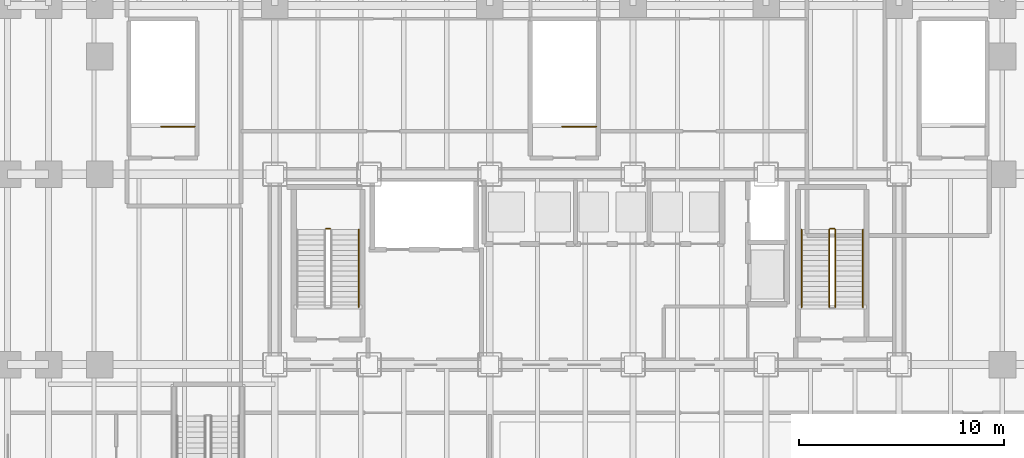
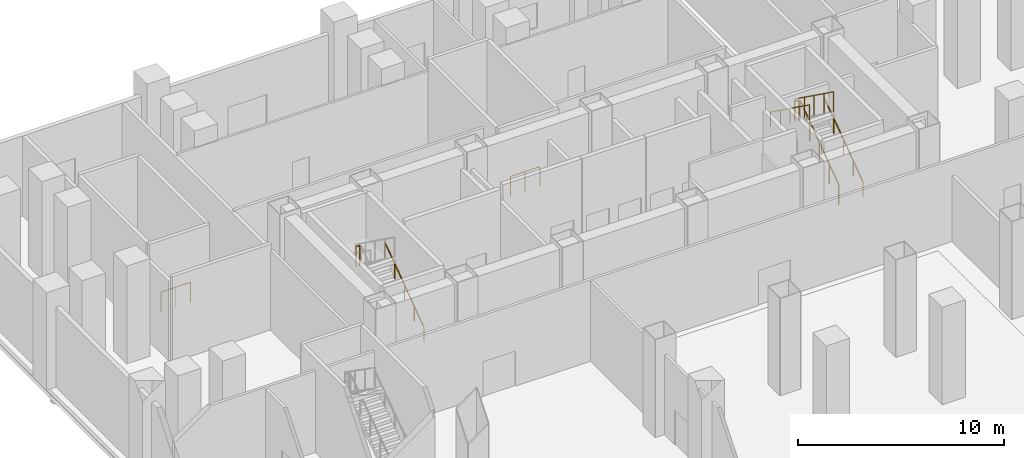
# One storey, part 32 of 36: 9 railings.
"""IFC4 building model written with IfcOpenShell, lengths in metres."""

import ifcopenshell
import ifcopenshell.guid

model = None  # the IFC model being written
_history = None  # IfcOwnerHistory: only IFC2X3 demands one
_inside = {}  # id of a spatial element -> (the spatial element, [elements in it])
_under = {}  # id of a project, library or spatial element -> (it, [spatial elements below it])
_declared = {}  # id of a project -> (the project, [libraries it declares])
_typed = {}  # id of a type object -> (the type object, [elements of that type])
_made_of = {}  # id of a material, layer set ... -> (it, [elements and type objects made of it])


def new_model(schema):
    """Start an empty IFC model of exactly this schema.

    Asked for "IFC4X3", IfcOpenShell would pick the latest addendum, in which some entities
    have other attributes; the version numbers below select the first issue.
    IFC2X3 requires an IfcOwnerHistory on every rooted entity: one is made here for all.
    """
    global model, _history
    if schema == "IFC4X3":
        model = ifcopenshell.file(schema_version=(4, 3, 0, 0))
    else:
        model = ifcopenshell.file(schema=schema)
    _inside.clear()
    _under.clear()
    _declared.clear()
    _typed.clear()
    _made_of.clear()
    _history = None
    if model.schema == "IFC2X3":
        org = make("IfcOrganization", Name="unknown")
        user = make(
            "IfcPersonAndOrganization",
            ThePerson=make("IfcPerson", FamilyName="unknown"),
            TheOrganization=org,
        )
        app = make(
            "IfcApplication",
            ApplicationDeveloper=org,
            Version="unknown",
            ApplicationFullName="unknown",
            ApplicationIdentifier="unknown",
        )
        _history = make(
            "IfcOwnerHistory",
            OwningUser=user,
            OwningApplication=app,
            ChangeAction="ADDED",
            CreationDate=0,
        )
    return model


def make(cls, **values):
    """One entity of the class cls with the attributes given. An attribute that is None is left unset."""
    return model.create_entity(
        cls, **{name: value for name, value in values.items() if value is not None}
    )


def rooted(cls, **values):
    """An entity with a GlobalId (a new one), such as an element, a storey or a relation."""
    return make(cls, GlobalId=ifcopenshell.guid.new(), OwnerHistory=_history, **values)


def si_unit(unit_type, name, prefix=None):
    """IfcSIUnit, for example si_unit("LENGTHUNIT", "METRE", prefix="MILLI")."""
    return make("IfcSIUnit", UnitType=unit_type, Prefix=prefix, Name=name)


def assignment(units):
    """IfcUnitAssignment: the units of a project."""
    return None if units is None else make("IfcUnitAssignment", Units=units)


def point(xyz):
    """IfcCartesianPoint."""
    return None if xyz is None else make("IfcCartesianPoint", Coordinates=xyz)


def direction(xyz):
    """IfcDirection."""
    return None if xyz is None else make("IfcDirection", DirectionRatios=xyz)


def frame(location, z_axis=None, x_axis=None):
    """IfcAxis2Placement3D, a coordinate frame: its origin and axes. An axis left out is left unset."""
    return make(
        "IfcAxis2Placement3D",
        Location=point(location),
        Axis=direction(z_axis),
        RefDirection=direction(x_axis),
    )


def frame_2d(location, x_axis=None):
    """IfcAxis2Placement2D, a coordinate frame in the plane: its origin and x axis."""
    return make(
        "IfcAxis2Placement2D", Location=point(location), RefDirection=direction(x_axis)
    )


def origin():
    """The frame at (0, 0, 0) with its axes left unset."""
    return frame((0.0, 0.0, 0.0))


def origin_2d():
    """The frame at (0, 0) in the plane with its x axis left unset."""
    return frame_2d((0.0, 0.0))


def place(relative_to, where):
    """IfcLocalPlacement: puts the frame where relative to a parent placement (None: the world)."""
    return make(
        "IfcLocalPlacement", PlacementRelTo=relative_to, RelativePlacement=where
    )


def context(
    kind, dimensions, precision=None, world=None, true_north=None, identifier=None
):
    """IfcGeometricRepresentationContext, for example the 3D "Model" context."""
    return make(
        "IfcGeometricRepresentationContext",
        ContextIdentifier=identifier,
        ContextType=kind,
        CoordinateSpaceDimension=dimensions,
        Precision=precision,
        WorldCoordinateSystem=world,
        TrueNorth=true_north,
    )


def subcontext(parent, identifier, kind, view, scale=None):
    """IfcGeometricRepresentationSubContext, for example "Body" below "Model"."""
    return make(
        "IfcGeometricRepresentationSubContext",
        ContextIdentifier=identifier,
        ContextType=kind,
        ParentContext=parent,
        TargetScale=scale,
        TargetView=view,
    )


def project(units=None, contexts=None):
    """IfcProject with its units and contexts."""
    return rooted(
        "IfcProject",
        Name="project",
        RepresentationContexts=contexts,
        UnitsInContext=assignment(units),
    )


def spatial(cls, under=None, at=None, **own):
    """A site, building, storey or space (cls), placed at a placement, below another one or the project."""
    s = rooted(cls, ObjectPlacement=at, **own)
    if under is not None:
        _under.setdefault(under.id(), (under, []))[1].append(s)
    return s


def profile(cls, at=None, kind="AREA", **sizes):
    """A parametric profile (cls). Its sizes go by their IFC names, for example OverallWidth=200.0."""
    return make(cls, ProfileType=kind, Position=at, **sizes)


def circle(**sizes):
    """IfcCircleProfileDef."""
    return profile("IfcCircleProfileDef", **sizes)


def extrude(swept, where, along, depth):
    """IfcExtrudedAreaSolid: the profile swept, set in the frame where, extruded along a direction by depth."""
    return make(
        "IfcExtrudedAreaSolid",
        SweptArea=swept,
        Position=where,
        ExtrudedDirection=direction(along),
        Depth=depth,
    )


def shape(context_of_items, identifier, shape_type, items):
    """IfcShapeRepresentation: the items that make up one representation, for example the "Body"."""
    return make(
        "IfcShapeRepresentation",
        ContextOfItems=context_of_items,
        RepresentationIdentifier=identifier,
        RepresentationType=shape_type,
        Items=items,
    )


def material(Name=None, Category=None):
    """IfcMaterial."""
    return make("IfcMaterial", Name=Name, Category=Category)


def layer(
    of_material, thickness, ventilated=None, Name=None, Category=None, Priority=None
):
    """IfcMaterialLayer: one layer of a wall or slab, of a material (None: an air gap)."""
    return make(
        "IfcMaterialLayer",
        Material=of_material,
        LayerThickness=thickness,
        IsVentilated=ventilated,
        Name=Name,
        Category=Category,
        Priority=Priority,
    )


def layer_set(layers, Name=None):
    """IfcMaterialLayerSet."""
    return make("IfcMaterialLayerSet", MaterialLayers=layers, LayerSetName=Name)


def made_of(thing, what):
    """Note that an element or type object is made of a material, layer set ...; save() writes the relation."""
    if what is not None:
        _made_of.setdefault(what.id(), (what, []))[1].append(thing)
    return thing


def type_object(cls, material=None, **own):
    """A type object (cls), such as IfcWallType, which elements share."""
    return made_of(rooted(cls, **own), material)


def element(
    cls,
    number,
    at=None,
    inside=None,
    cuts=None,
    type_object=None,
    material=None,
    context=None,
    identifier="Body",
    shape_type=None,
    held_by="IfcProductDefinitionShape",
    body=None,
    shapes=None,
    **own,
):
    """One element of the class cls, such as IfcWall. Its Tag is "e" and its number.

    at: its placement. inside: the storey or other place that contains it. cuts: it is an
    opening in that element (IfcRelVoidsElement). A single representation is given by context,
    identifier, shape_type and body (its items); several are given by shapes. held_by: the class
    of the entity that holds the representations. save() writes the other relations.
    """
    e = rooted(cls, Tag="e%d" % number, ObjectPlacement=at, **own)
    if body is not None:
        shapes = [shape(context, identifier, shape_type, body)]
    if shapes is not None:
        e.Representation = make(held_by, Representations=shapes)
    if inside is not None:
        _inside.setdefault(inside.id(), (inside, []))[1].append(e)
    if cuts is not None:
        rooted(
            "IfcRelVoidsElement", RelatingBuildingElement=cuts, RelatedOpeningElement=e
        )
    if type_object is not None:
        _typed.setdefault(type_object.id(), (type_object, []))[1].append(e)
    return made_of(e, material)


def aggregate(whole, parts):
    """IfcRelAggregates: a whole, such as a stair, and the parts it consists of."""
    return rooted("IfcRelAggregates", RelatingObject=whole, RelatedObjects=parts)


def save(model, path):
    """Write the relations noted so far, then the file.

    IfcRelAggregates (storeys below a building ...), IfcRelContainedInSpatialStructure (elements
    in a storey), IfcRelDefinesByType, IfcRelAssociatesMaterial and IfcRelDeclares: one each for
    every whole, place, type object, material and project.
    """
    for whole, parts in _under.values():
        aggregate(whole, parts)
    for where, things in _inside.values():
        rooted(
            "IfcRelContainedInSpatialStructure",
            RelatedElements=things,
            RelatingStructure=where,
        )
    for kind, things in _typed.values():
        rooted("IfcRelDefinesByType", RelatedObjects=things, RelatingType=kind)
    for what, things in _made_of.values():
        rooted("IfcRelAssociatesMaterial", RelatedObjects=things, RelatingMaterial=what)
    for by, libraries in _declared.values():
        rooted("IfcRelDeclares", RelatingContext=by, RelatedDefinitions=libraries)
    model.write(path)


model = new_model("IFC4")

# Units and contexts
model_context = context("Model", 3, precision=1e-05, world=origin(), true_north=direction((0.0, 1.0)))
body_context = subcontext(model_context, "Body", "Model", "MODEL_VIEW")
ifc_project = project(units=[si_unit("LENGTHUNIT", "METRE"), si_unit("AREAUNIT", "SQUARE_METRE"), si_unit("VOLUMEUNIT", "CUBIC_METRE"), si_unit("PLANEANGLEUNIT", "RADIAN"), si_unit("MASSUNIT", "GRAM", prefix="KILO")], contexts=[model_context])

# Site, building, storey
site_placement = place(None, origin())
site = spatial("IfcSite", under=ifc_project, at=site_placement, CompositionType="ELEMENT")
building_placement = place(site_placement, origin())
building = spatial("IfcBuilding", under=site, at=building_placement, Name="Noeulbin Bourse Tower", CompositionType="ELEMENT")
storey_placement = place(building_placement, origin())
storey = spatial("IfcBuildingStorey", under=building, at=storey_placement, Name="L01", CompositionType="ELEMENT", Elevation=0.0)

# Railings
ifc_material_1 = material(Name="Painted Tubular Steel S355", Category="steel")
ifc_layer_1 = layer(ifc_material_1, 0.048095703125)
ifc_layer_set_1 = layer_set([ifc_layer_1], Name="Painted Tubular Steel S355")
railing_type_1 = type_object("IfcRailingType", Name="RLG-STR-GRD", PredefinedType="GUARDRAIL", material=ifc_layer_set_1)
railing_1_placement = place(storey_placement, frame((16.199951171875, 35.639892578125, 2.89990234375)))
element("IfcRailing", 1, at=railing_1_placement, inside=storey, type_object=railing_type_1, Name="L01 ST-1 stair guard 2", PredefinedType="GUARDRAIL", context=body_context, shape_type="SweptSolid", body=[
    extrude(circle(Radius=0.02392578125, at=origin_2d()), frame((0.0, 0.0, 1.17578125), z_axis=(-1.0, 0.0, 0.0), x_axis=(0.0, -1.0, 0.0)), (0.0, 0.0, 1.0), 0.199951171875),
    extrude(circle(Radius=0.02099609375, at=origin_2d()), origin(), (0.0, 0.0, 1.0), 1.15185546875),
    extrude(circle(Radius=0.02099609375, at=origin_2d()), frame((-0.199951171875, 0.0, 0.0)), (0.0, 0.0, 1.0), 1.15185546875),
])
railing_2_placement = place(storey_placement, frame((40.8798828125, 31.81005859375, 0.18115234375)))
element("IfcRailing", 2, at=railing_2_placement, inside=storey, type_object=railing_type_1, Name="L01 ST-2 stair guard 1", PredefinedType="GUARDRAIL", context=body_context, shape_type="SweptSolid", body=[
    extrude(circle(Radius=0.02392578125, at=origin_2d()), frame((0.0, 0.0, 1.17578125), z_axis=(0.0, 0.811826629365, 0.583898556133), x_axis=(-1.0, 0.0, 0.0)), (0.0, 0.0, 1.0), 4.65625),
    extrude(circle(Radius=0.02099609375, at=origin_2d()), origin(), (0.0, 0.0, 1.0), 1.15185546875),
    extrude(circle(Radius=0.02099609375, at=origin_2d()), frame((0.0, 0.945068359375, 0.6796875)), (0.0, 0.0, 1.0), 1.15185546875),
    extrude(circle(Radius=0.02099609375, at=origin_2d()), frame((0.0, 1.89013671875, 1.359375)), (0.0, 0.0, 1.0), 1.15185546875),
    extrude(circle(Radius=0.02099609375, at=origin_2d()), frame((0.0, 2.8349609375, 2.0390625)), (0.0, 0.0, 1.0), 1.15185546875),
    extrude(circle(Radius=0.02099609375, at=origin_2d()), frame((0.0, 3.780029296875, 2.71875)), (0.0, 0.0, 1.0), 1.15185546875),
])
railing_3_placement = place(storey_placement, frame((40.830078125, 35.639892578125, 2.89990234375)))
element("IfcRailing", 3, at=railing_3_placement, inside=storey, type_object=railing_type_1, Name="L01 ST-2 stair guard 2", PredefinedType="GUARDRAIL", context=body_context, shape_type="SweptSolid", body=[
    extrude(circle(Radius=0.02392578125, at=origin_2d()), frame((0.0, 0.0, 1.17578125), z_axis=(-1.0, 0.0, 0.0), x_axis=(0.0, -1.0, 0.0)), (0.0, 0.0, 1.0), 0.2001953125),
    extrude(circle(Radius=0.02099609375, at=origin_2d()), origin(), (0.0, 0.0, 1.0), 1.15185546875),
    extrude(circle(Radius=0.02099609375, at=origin_2d()), frame((-0.2001953125, 0.0, 0.0)), (0.0, 0.0, 1.0), 1.15185546875),
])
railing_4_placement = place(storey_placement, frame((40.580078125, 35.590087890625, 3.081298828125)))
element("IfcRailing", 4, at=railing_4_placement, inside=storey, type_object=railing_type_1, Name="L01 ST-2 stair guard 3", PredefinedType="GUARDRAIL", context=body_context, shape_type="SweptSolid", body=[
    extrude(circle(Radius=0.02392578125, at=origin_2d()), frame((0.0, 0.0, 1.17578125), z_axis=(0.0, -0.811826629365, 0.583898556133), x_axis=(1.0, 0.0, 0.0)), (0.0, 0.0, 1.0), 4.65625),
    extrude(circle(Radius=0.02099609375, at=origin_2d()), origin(), (0.0, 0.0, 1.0), 1.15185546875),
    extrude(circle(Radius=0.02099609375, at=origin_2d()), frame((0.0, -0.945068359375, 0.6796875)), (0.0, 0.0, 1.0), 1.15185546875),
    extrude(circle(Radius=0.02099609375, at=origin_2d()), frame((0.0, -1.89013671875, 1.359375)), (0.0, 0.0, 1.0), 1.15185546875),
    extrude(circle(Radius=0.02099609375, at=origin_2d()), frame((0.0, -2.8349609375, 2.0390625)), (0.0, 0.0, 1.0), 1.15185546875),
    extrude(circle(Radius=0.02099609375, at=origin_2d()), frame((0.0, -3.780029296875, 2.71875)), (0.0, 0.0, 1.0), 1.15185546875),
])
railing_5_placement = place(storey_placement, frame((9.60009765625, 40.6298828125, 0.0)))
element("IfcRailing", 5, at=railing_5_placement, inside=storey, type_object=railing_type_1, Name="L01 ST-S1 top well guard 1", PredefinedType="GUARDRAIL", context=body_context, shape_type="SweptSolid", body=[
    extrude(circle(Radius=0.02392578125, at=origin_2d()), frame((0.0, 0.0, 1.17578125), z_axis=(-1.0, 0.0, 0.0), x_axis=(0.0, -1.0, 0.0)), (0.0, 0.0, 1.0), 1.66015625),
    extrude(circle(Radius=0.02099609375, at=origin_2d()), origin(), (0.0, 0.0, 1.0), 1.15185546875),
    extrude(circle(Radius=0.02099609375, at=origin_2d()), frame((-0.830078125, 0.0, 0.0)), (0.0, 0.0, 1.0), 1.15185546875),
    extrude(circle(Radius=0.02099609375, at=origin_2d()), frame((-1.66015625, 0.0, 0.0)), (0.0, 0.0, 1.0), 1.15185546875),
])
railing_6_placement = place(storey_placement, frame((29.199951171875, 40.6298828125, 0.0)))
element("IfcRailing", 6, at=railing_6_placement, inside=storey, type_object=railing_type_1, Name="L01 ST-S2 top well guard 1", PredefinedType="GUARDRAIL", context=body_context, shape_type="SweptSolid", body=[
    extrude(circle(Radius=0.02392578125, at=origin_2d()), frame((0.0, 0.0, 1.17578125), z_axis=(-1.0, 0.0, 0.0), x_axis=(0.0, -1.0, 0.0)), (0.0, 0.0, 1.0), 1.659912109375),
    extrude(circle(Radius=0.02099609375, at=origin_2d()), origin(), (0.0, 0.0, 1.0), 1.15185546875),
    extrude(circle(Radius=0.02099609375, at=origin_2d()), frame((-0.830078125, 0.0, 0.0)), (0.0, 0.0, 1.0), 1.15185546875),
    extrude(circle(Radius=0.02099609375, at=origin_2d()), frame((-1.659912109375, 0.0, 0.0)), (0.0, 0.0, 1.0), 1.15185546875),
])
ifc_material_2 = material(Name="Brushed Stainless Steel 316", Category="steel")
ifc_layer_2 = layer(ifc_material_2, 0.048095703125)
ifc_layer_set_2 = layer_set([ifc_layer_2], Name="Brushed Stainless Steel 316")
railing_type_2 = type_object("IfcRailingType", Name="RLG-STR-HND", PredefinedType="HANDRAIL", material=ifc_layer_set_2)
for number, where, name in (
    (7, (17.60009765625, 31.81005859375, 0.18115234375), "L01 ST-1 stair handrail 1"),
    (8, (42.22998046875, 31.81005859375, 0.18115234375), "L01 ST-2 stair handrail 1"),
):
    element("IfcRailing", number, at=place(storey_placement, frame(where)), inside=storey, type_object=railing_type_2, Name=name, PredefinedType="HANDRAIL", context=body_context, shape_type="SweptSolid", body=[
        extrude(circle(Radius=0.02392578125, at=origin_2d()), frame((0.0, 0.0, 0.8759765625), z_axis=(0.0, 0.811826629365, 0.583898556133), x_axis=(-1.0, 0.0, 0.0)), (0.0, 0.0, 1.0), 4.65625),
        extrude(circle(Radius=0.02099609375, at=origin_2d()), origin(), (0.0, 0.0, 1.0), 0.851806640625),
        extrude(circle(Radius=0.02099609375, at=origin_2d()), frame((0.0, 0.945068359375, 0.6796875)), (0.0, 0.0, 1.0), 0.851806640625),
        extrude(circle(Radius=0.02099609375, at=origin_2d()), frame((0.0, 1.89013671875, 1.359375)), (0.0, 0.0, 1.0), 0.851806640625),
        extrude(circle(Radius=0.02099609375, at=origin_2d()), frame((0.0, 2.8349609375, 2.0390625)), (0.0, 0.0, 1.0), 0.851806640625),
        extrude(circle(Radius=0.02099609375, at=origin_2d()), frame((0.0, 3.780029296875, 2.71875)), (0.0, 0.0, 1.0), 0.851806640625),
    ])
railing_7_placement = place(storey_placement, frame((39.22998046875, 35.590087890625, 3.081298828125)))
element("IfcRailing", 9, at=railing_7_placement, inside=storey, type_object=railing_type_2, Name="L01 ST-2 stair handrail 2", PredefinedType="HANDRAIL", context=body_context, shape_type="SweptSolid", body=[
    extrude(circle(Radius=0.02392578125, at=origin_2d()), frame((0.0, 0.0, 0.8759765625), z_axis=(0.0, -0.811826629365, 0.583898556133), x_axis=(1.0, 0.0, 0.0)), (0.0, 0.0, 1.0), 4.65625),
    extrude(circle(Radius=0.02099609375, at=origin_2d()), origin(), (0.0, 0.0, 1.0), 0.851806640625),
    extrude(circle(Radius=0.02099609375, at=origin_2d()), frame((0.0, -0.945068359375, 0.6796875)), (0.0, 0.0, 1.0), 0.851806640625),
    extrude(circle(Radius=0.02099609375, at=origin_2d()), frame((0.0, -1.89013671875, 1.359375)), (0.0, 0.0, 1.0), 0.851806640625),
    extrude(circle(Radius=0.02099609375, at=origin_2d()), frame((0.0, -2.8349609375, 2.0390625)), (0.0, 0.0, 1.0), 0.851806640625),
    extrude(circle(Radius=0.02099609375, at=origin_2d()), frame((0.0, -3.780029296875, 2.71875)), (0.0, 0.0, 1.0), 0.851806640625),
])

save(model, "model.ifc")
